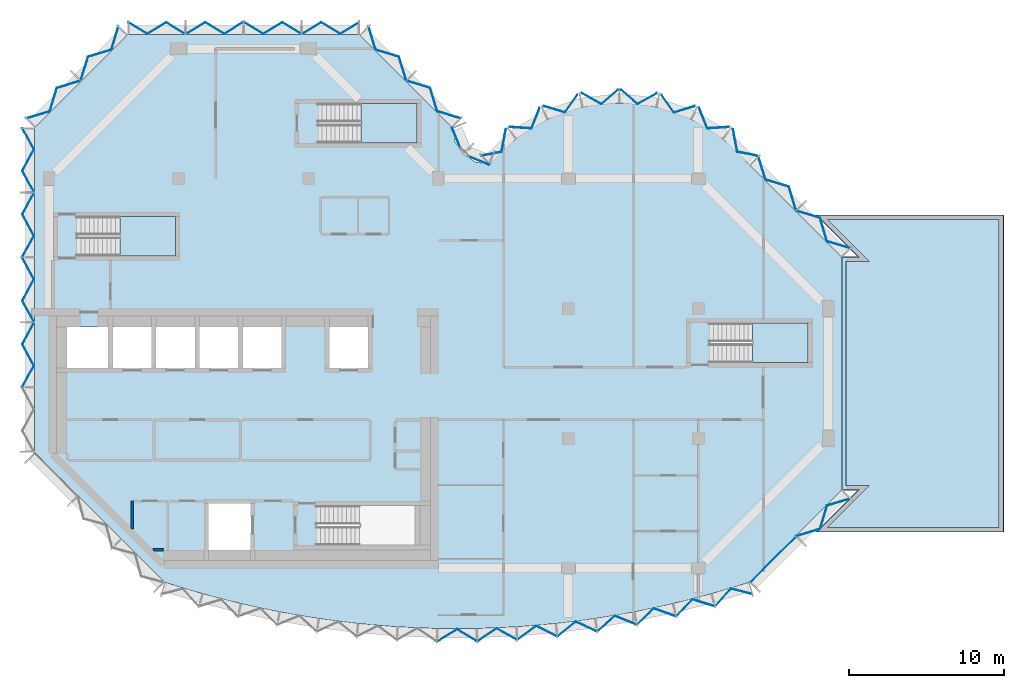
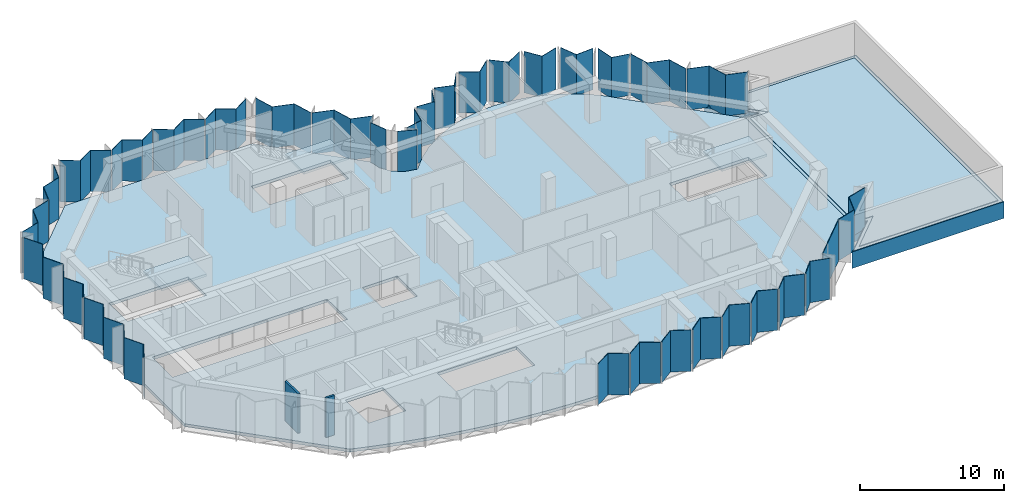
# One storey, part 3 of 9: 36 plates, 5 slabs, 2 walls, 12 elements without a shape of their own.
"""IFC4 building model written with IfcOpenShell, lengths in metres."""

from ifc_helpers import new_model, si_unit, direction, frame, frame_2d, origin, place, context, subcontext, project, spatial, polyline, rectangle, outline, extrude, material, layer, layer_set, type_object, element, aggregate, save


model = new_model("IFC4")

# Units and contexts
model_context = context("Model", 3, precision=1e-05, world=origin(), true_north=direction((0.0, 1.0)))
body_context = subcontext(model_context, "Body", "Model", "MODEL_VIEW")
ifc_project = project(units=[si_unit("LENGTHUNIT", "METRE"), si_unit("AREAUNIT", "SQUARE_METRE"), si_unit("VOLUMEUNIT", "CUBIC_METRE"), si_unit("PLANEANGLEUNIT", "RADIAN"), si_unit("MASSUNIT", "GRAM", prefix="KILO")], contexts=[model_context])

# Site, building, storey
site_placement = place(None, origin())
site = spatial("IfcSite", under=ifc_project, at=site_placement, CompositionType="ELEMENT")
building_placement = place(site_placement, origin())
building = spatial("IfcBuilding", under=site, at=building_placement, Name="Brevane Broadcast Tower", CompositionType="ELEMENT")
storey_placement = place(building_placement, frame((0.0, 0.0, 222.89990234375)))
storey = spatial("IfcBuildingStorey", under=building, at=storey_placement, Name="L56", CompositionType="ELEMENT", Elevation=222.89990234375)

# Curtain wall, plates
ifc_material_1 = material(Name="Aluminium 6063-T6 bronze anodised", Category="aluminium")
curtain_wall_type = type_object("IfcCurtainWallType", Name="CW-1 curtain wall", PredefinedType="NOTDEFINED", material=ifc_material_1)
curtain_wall_1_placement = place(storey_placement, origin())
curtain_wall_1 = element("IfcCurtainWall", 1, at=curtain_wall_1_placement, inside=storey, type_object=curtain_wall_type, Name="CW-1 typical tilted unit L56 south bow", PredefinedType="NOTDEFINED")
ifc_material_2 = material(Name="Laminated glass bronze-tinted", Category="glass")
ifc_layer_1 = layer(ifc_material_2, 0.0400390625)
ifc_layer_set_1 = layer_set([ifc_layer_1], Name="CW tall glass panel 40")
plate_type_1 = type_object("IfcPlateType", Name="CW tall glass panel 40", PredefinedType="CURTAIN_PANEL", material=ifc_layer_set_1)
plate_1_placement = place(storey_placement, frame((0.0, 0.0, -0.14990234375)))
plate_1 = element("IfcPlate", 2, at=plate_1_placement, type_object=plate_type_1, Name="CW-1 glass panel", PredefinedType="CURTAIN_PANEL", context=body_context, shape_type="SweptSolid", body=[
    extrude(outline(polyline([(25.176025390625, -4.67236328125), (25.175048828125, -4.719970703125), (26.4052734375, -3.958984375), (27.634033203125, -4.70849609375), (27.633056640625, -4.6611328125), (26.4052734375, -3.912109375), (25.176025390625, -4.67236328125)])), origin(), (0.0, 0.0, 1.0), 3.5),
])
plate_2_placement = place(storey_placement, frame((0.0, 0.0, -0.14990234375)))
plate_2 = element("IfcPlate", 3, at=plate_2_placement, type_object=plate_type_1, Name="CW-1 glass panel", PredefinedType="CURTAIN_PANEL", context=body_context, shape_type="SweptSolid", body=[
    extrude(outline(polyline([(27.76171875, -4.65966796875), (27.7626953125, -4.70703125), (28.958740234375, -3.90478515625), (30.219482421875, -4.611083984375), (30.216552734375, -4.563720703125), (28.956787109375, -3.85791015625), (27.76171875, -4.65966796875)])), origin(), (0.0, 0.0, 1.0), 3.5),
])
plate_3_placement = place(storey_placement, frame((0.0, 0.0, -0.14990234375)))
plate_3 = element("IfcPlate", 4, at=plate_3_placement, type_object=plate_type_1, Name="CW-1 glass panel", PredefinedType="CURTAIN_PANEL", context=body_context, shape_type="SweptSolid", body=[
    extrude(outline(polyline([(30.36328125, -4.547119140625), (30.366455078125, -4.594482421875), (31.522705078125, -3.741943359375), (32.806884765625, -4.39404296875), (32.802001953125, -4.3466796875), (31.518798828125, -3.695068359375), (30.36328125, -4.547119140625)])), origin(), (0.0, 0.0, 1.0), 3.5),
])
plate_4_placement = place(storey_placement, frame((0.0, 0.0, -0.14990234375)))
plate_4 = element("IfcPlate", 5, at=plate_4_placement, type_object=plate_type_1, Name="CW-1 glass panel", PredefinedType="CURTAIN_PANEL", context=body_context, shape_type="SweptSolid", body=[
    extrude(outline(polyline([(32.9482421875, -4.3271484375), (32.953369140625, -4.37451171875), (34.072998046875, -3.47265625), (35.383056640625, -4.06884765625), (35.3759765625, -4.021728515625), (34.067138671875, -3.426025390625), (32.9482421875, -4.3271484375)])), origin(), (0.0, 0.0, 1.0), 3.5),
])
plate_5_placement = place(storey_placement, frame((0.0, 0.0, -0.14990234375)))
plate_5 = element("IfcPlate", 6, at=plate_5_placement, type_object=plate_type_1, Name="CW-1 glass panel", PredefinedType="CURTAIN_PANEL", context=body_context, shape_type="SweptSolid", body=[
    extrude(outline(polyline([(35.521728515625, -3.99951171875), (35.52880859375, -4.04638671875), (36.60986328125, -3.09716796875), (37.943115234375, -3.63671875), (37.93408203125, -3.58984375), (36.60205078125, -3.05078125), (35.521728515625, -3.99951171875)])), origin(), (0.0, 0.0, 1.0), 3.5),
])
plate_6_placement = place(storey_placement, frame((0.0, 0.0, -0.14990234375)))
plate_6 = element("IfcPlate", 7, at=plate_6_placement, type_object=plate_type_1, Name="CW-1 glass panel", PredefinedType="CURTAIN_PANEL", context=body_context, shape_type="SweptSolid", body=[
    extrude(outline(polyline([(38.07958984375, -3.564453125), (38.08837890625, -3.611328125), (39.128662109375, -2.615966796875), (40.48291015625, -3.09765625), (40.471923828125, -3.051513671875), (39.118896484375, -2.570068359375), (38.07958984375, -3.564453125)])), origin(), (0.0, 0.0, 1.0), 3.5),
])
plate_7_placement = place(storey_placement, frame((0.0, 0.0, -0.14990234375)))
plate_7 = element("IfcPlate", 8, at=plate_7_placement, type_object=plate_type_1, Name="CW-1 glass panel", PredefinedType="CURTAIN_PANEL", context=body_context, shape_type="SweptSolid", body=[
    extrude(outline(polyline([(40.61669921875, -3.023193359375), (40.627685546875, -3.069580078125), (41.62548828125, -2.030029296875), (42.997802734375, -2.453369140625), (42.985107421875, -2.407470703125), (41.613525390625, -1.984619140625), (40.61669921875, -3.023193359375)])), origin(), (0.0, 0.0, 1.0), 3.5),
])
plate_8_placement = place(storey_placement, frame((0.0, 0.0, -0.14990234375)))
plate_8 = element("IfcPlate", 9, at=plate_8_placement, type_object=plate_type_1, Name="CW-1 glass panel", PredefinedType="CURTAIN_PANEL", context=body_context, shape_type="SweptSolid", body=[
    extrude(outline(polyline([(43.12939453125, -2.376220703125), (43.14208984375, -2.421875), (44.114013671875, -1.334716796875), (45.501220703125, -1.68798828125), (45.48779296875, -1.643310546875), (44.100341796875, -1.289794921875), (43.12939453125, -2.376220703125)])), origin(), (0.0, 0.0, 1.0), 3.5),
])
aggregate(curtain_wall_1, [plate_1, plate_2, plate_3, plate_4, plate_5, plate_6, plate_7, plate_8])

curtain_wall_2_placement = place(storey_placement, origin())
curtain_wall_2 = element("IfcCurtainWall", 10, at=curtain_wall_2_placement, inside=storey, type_object=curtain_wall_type, Name="CW-1 typical tilted unit L56 south-east chamfer", PredefinedType="NOTDEFINED")
plate_9_placement = place(storey_placement, frame((0.0, 0.0, -0.14990234375)))
plate_9 = element("IfcPlate", 11, at=plate_9_placement, type_object=plate_type_1, Name="CW-1 glass panel", PredefinedType="CURTAIN_PANEL", context=body_context, shape_type="SweptSolid", body=[
    extrude(outline(polyline([(45.345947265625, -0.896484375), (48.29638671875, 2.053955078125), (48.32470703125, 2.02587890625), (45.374267578125, -0.9248046875), (45.345947265625, -0.896484375)])), origin(), (0.0, 0.0, 1.0), 3.5),
])
plate_10_placement = place(storey_placement, frame((0.0, 0.0, -0.14990234375)))
plate_10 = element("IfcPlate", 12, at=plate_10_placement, type_object=plate_type_1, Name="CW-1 glass panel", PredefinedType="CURTAIN_PANEL", context=body_context, shape_type="SweptSolid", body=[
    extrude(outline(polyline([(48.343994140625, 2.10546875), (48.376220703125, 2.073486328125), (49.885986328125, 2.530517578125), (50.343017578125, 4.040283203125), (51.85302734375, 4.49755859375), (51.82080078125, 4.529541015625), (50.31103515625, 4.072509765625), (49.85400390625, 2.5625), (48.343994140625, 2.10546875)])), origin(), (0.0, 0.0, 1.0), 3.5),
])
aggregate(curtain_wall_2, [plate_9, plate_10])

curtain_wall_3_placement = place(storey_placement, origin())
curtain_wall_3 = element("IfcCurtainWall", 13, at=curtain_wall_3_placement, inside=storey, type_object=curtain_wall_type, Name="CW-1 typical tilted unit L56 north-east chamfer", PredefinedType="NOTDEFINED")
plate_11_placement = place(storey_placement, frame((0.0, 0.0, -0.14990234375)))
plate_11 = element("IfcPlate", 14, at=plate_11_placement, type_object=plate_type_1, Name="CW-1 glass panel", PredefinedType="CURTAIN_PANEL", context=body_context, shape_type="SweptSolid", body=[
    extrude(outline(polyline([(51.82080078125, 20.67041015625), (51.85302734375, 20.702392578125), (50.343017578125, 21.15966796875), (49.885986328125, 22.66943359375), (48.376220703125, 23.126708984375), (48.343994140625, 23.094482421875), (49.85400390625, 22.637451171875), (50.31103515625, 21.127685546875), (51.82080078125, 20.67041015625)])), origin(), (0.0, 0.0, 1.0), 3.5),
])
plate_12_placement = place(storey_placement, frame((0.0, 0.0, -0.14990234375)))
plate_12 = element("IfcPlate", 15, at=plate_12_placement, type_object=plate_type_1, Name="CW-1 glass panel", PredefinedType="CURTAIN_PANEL", context=body_context, shape_type="SweptSolid", body=[
    extrude(outline(polyline([(48.294677734375, 23.14404296875), (48.32666015625, 23.176025390625), (47.869384765625, 24.68603515625), (46.359619140625, 25.14306640625), (45.902587890625, 26.653076171875), (45.870361328125, 26.620849609375), (46.32763671875, 25.111083984375), (47.83740234375, 24.65380859375), (48.294677734375, 23.14404296875)])), origin(), (0.0, 0.0, 1.0), 3.5),
])
aggregate(curtain_wall_3, [plate_11, plate_12])

curtain_wall_4_placement = place(storey_placement, origin())
curtain_wall_4 = element("IfcCurtainWall", 16, at=curtain_wall_4_placement, inside=storey, type_object=curtain_wall_type, Name="CW-1 typical tilted unit L56 east bow", PredefinedType="NOTDEFINED")
plate_13_placement = place(storey_placement, frame((0.0, 0.0, -0.14990234375)))
plate_13 = element("IfcPlate", 17, at=plate_13_placement, type_object=plate_type_1, Name="CW-1 glass panel", PredefinedType="CURTAIN_PANEL", context=body_context, shape_type="SweptSolid", body=[
    extrude(outline(polyline([(45.79150390625, 26.656005859375), (45.82470703125, 26.690185546875), (44.539306640625, 26.9423828125), (44.263916015625, 28.3857421875), (44.231201171875, 28.34375), (44.5048828125, 26.908203125), (45.79150390625, 26.656005859375)])), origin(), (0.0, 0.0, 1.0), 3.5),
])
plate_14_placement = place(storey_placement, frame((0.0, 0.0, -0.14990234375)))
plate_14 = element("IfcPlate", 18, at=plate_14_placement, type_object=plate_type_1, Name="CW-1 glass panel", PredefinedType="CURTAIN_PANEL", context=body_context, shape_type="SweptSolid", body=[
    extrude(outline(polyline([(43.950439453125, 28.5087890625), (43.9833984375, 28.551025390625), (42.601318359375, 28.462890625), (42.0703125, 29.76171875), (42.046875, 29.712890625), (42.5751953125, 28.42138671875), (43.950439453125, 28.5087890625)])), origin(), (0.0, 0.0, 1.0), 3.5),
])
plate_15_placement = place(storey_placement, frame((0.0, 0.0, -0.14990234375)))
plate_15 = element("IfcPlate", 19, at=plate_15_placement, type_object=plate_type_1, Name="CW-1 glass panel", PredefinedType="CURTAIN_PANEL", context=body_context, shape_type="SweptSolid", body=[
    extrude(outline(polyline([(41.75537109375, 29.851806640625), (41.778564453125, 29.900634765625), (40.435546875, 29.494384765625), (39.6328125, 30.622802734375), (39.62060546875, 30.57080078125), (40.41943359375, 29.44775390625), (41.75537109375, 29.851806640625)])), origin(), (0.0, 0.0, 1.0), 3.5),
])
plate_16_placement = place(storey_placement, frame((0.0, 0.0, -0.14990234375)))
plate_16 = element("IfcPlate", 20, at=plate_16_placement, type_object=plate_type_1, Name="CW-1 glass panel", PredefinedType="CURTAIN_PANEL", context=body_context, shape_type="SweptSolid", body=[
    extrude(outline(polyline([(39.31640625, 30.68798828125), (39.328369140625, 30.740478515625), (38.069580078125, 30.036376953125), (37.008056640625, 30.94921875), (37.008056640625, 30.896484375), (38.064697265625, 29.98779296875), (39.31640625, 30.68798828125)])), origin(), (0.0, 0.0, 1.0), 3.5),
])
plate_17_placement = place(storey_placement, frame((0.0, 0.0, -0.14990234375)))
plate_17 = element("IfcPlate", 21, at=plate_17_placement, type_object=plate_type_1, Name="CW-1 glass panel", PredefinedType="CURTAIN_PANEL", context=body_context, shape_type="SweptSolid", body=[
    extrude(outline(polyline([(36.7919921875, 30.896484375), (36.7919921875, 30.94921875), (35.730224609375, 30.036376953125), (34.4716796875, 30.740478515625), (34.483642578125, 30.68798828125), (35.735107421875, 29.98779296875), (36.7919921875, 30.896484375)])), origin(), (0.0, 0.0, 1.0), 3.5),
])
plate_18_placement = place(storey_placement, frame((0.0, 0.0, -0.14990234375)))
plate_18 = element("IfcPlate", 22, at=plate_18_placement, type_object=plate_type_1, Name="CW-1 glass panel", PredefinedType="CURTAIN_PANEL", context=body_context, shape_type="SweptSolid", body=[
    extrude(outline(polyline([(34.17919921875, 30.57080078125), (34.167236328125, 30.622802734375), (33.364501953125, 29.494384765625), (32.021484375, 29.900634765625), (32.044677734375, 29.851806640625), (33.380615234375, 29.44775390625), (34.17919921875, 30.57080078125)])), origin(), (0.0, 0.0, 1.0), 3.5),
])
plate_19_placement = place(storey_placement, frame((0.0, 0.0, -0.14990234375)))
plate_19 = element("IfcPlate", 23, at=plate_19_placement, type_object=plate_type_1, Name="CW-1 glass panel", PredefinedType="CURTAIN_PANEL", context=body_context, shape_type="SweptSolid", body=[
    extrude(outline(polyline([(31.753173828125, 29.712890625), (31.729736328125, 29.76171875), (31.198486328125, 28.462890625), (29.816650390625, 28.551025390625), (29.849609375, 28.5087890625), (31.224609375, 28.42138671875), (31.753173828125, 29.712890625)])), origin(), (0.0, 0.0, 1.0), 3.5),
])
plate_20_placement = place(storey_placement, frame((0.0, 0.0, -0.14990234375)))
plate_20 = element("IfcPlate", 24, at=plate_20_placement, type_object=plate_type_1, Name="CW-1 glass panel", PredefinedType="CURTAIN_PANEL", context=body_context, shape_type="SweptSolid", body=[
    extrude(outline(polyline([(29.568603515625, 28.34375), (29.535888671875, 28.3857421875), (29.2607421875, 26.9423828125), (27.975341796875, 26.690185546875), (28.008544921875, 26.656005859375), (29.294921875, 26.908203125), (29.568603515625, 28.34375)])), origin(), (0.0, 0.0, 1.0), 3.5),
])
aggregate(curtain_wall_4, [plate_13, plate_14, plate_15, plate_16, plate_17, plate_18, plate_19, plate_20])

curtain_wall_5_placement = place(storey_placement, origin())
curtain_wall_5 = element("IfcCurtainWall", 25, at=curtain_wall_5_placement, inside=storey, type_object=curtain_wall_type, Name="CW-1 typical tilted unit L56 inner corner", PredefinedType="NOTDEFINED")
plate_21_placement = place(storey_placement, frame((0.0, 0.0, -0.14990234375)))
plate_21 = element("IfcPlate", 26, at=plate_21_placement, type_object=plate_type_1, Name="CW-1 glass panel", PredefinedType="CURTAIN_PANEL", context=body_context, shape_type="SweptSolid", body=[
    extrude(outline(polyline([(28.45166015625, 26.07470703125), (28.466796875, 26.111572265625), (27.2021484375, 26.635498046875), (27.17138671875, 26.60498046875), (28.45166015625, 26.07470703125)])), origin(), (0.0, 0.0, 1.0), 3.5),
])
plate_22_placement = place(storey_placement, frame((0.0, 0.0, -0.14990234375)))
plate_22 = element("IfcPlate", 27, at=plate_22_placement, type_object=plate_type_1, Name="CW-1 glass panel", PredefinedType="CURTAIN_PANEL", context=body_context, shape_type="SweptSolid", body=[
    extrude(outline(polyline([(26.60498046875, 27.17138671875), (26.635498046875, 27.2021484375), (26.111572265625, 28.466796875), (26.07470703125, 28.45166015625), (26.60498046875, 27.17138671875)])), origin(), (0.0, 0.0, 1.0), 3.5),
])
aggregate(curtain_wall_5, [plate_21, plate_22])

curtain_wall_6_placement = place(storey_placement, origin())
curtain_wall_6 = element("IfcCurtainWall", 28, at=curtain_wall_6_placement, inside=storey, type_object=curtain_wall_type, Name="CW-1 typical tilted unit L56 north arm north-east chamfer", PredefinedType="NOTDEFINED")
plate_23_placement = place(storey_placement, frame((0.0, 0.0, -0.14990234375)))
plate_23 = element("IfcPlate", 29, at=plate_23_placement, type_object=plate_type_1, Name="CW-1 glass panel", PredefinedType="CURTAIN_PANEL", context=body_context, shape_type="SweptSolid", body=[
    extrude(outline(polyline([(26.620849609375, 29.0703125), (26.653076171875, 29.1025390625), (25.14306640625, 29.5595703125), (24.68603515625, 31.069580078125), (23.176025390625, 31.526611328125), (23.14404296875, 31.49462890625), (24.65380859375, 31.037353515625), (25.111083984375, 29.527587890625), (26.620849609375, 29.0703125)])), origin(), (0.0, 0.0, 1.0), 3.5),
])
plate_24_placement = place(storey_placement, frame((0.0, 0.0, -0.14990234375)))
plate_24 = element("IfcPlate", 30, at=plate_24_placement, type_object=plate_type_1, Name="CW-1 glass panel", PredefinedType="CURTAIN_PANEL", context=body_context, shape_type="SweptSolid", body=[
    extrude(outline(polyline([(23.094482421875, 31.544189453125), (23.126708984375, 31.576171875), (22.66943359375, 33.0859375), (21.15966796875, 33.543212890625), (20.702392578125, 35.052978515625), (20.67041015625, 35.02099609375), (21.127685546875, 33.510986328125), (22.637451171875, 33.053955078125), (23.094482421875, 31.544189453125)])), origin(), (0.0, 0.0, 1.0), 3.5),
])
aggregate(curtain_wall_6, [plate_23, plate_24])

curtain_wall_7_placement = place(storey_placement, origin())
curtain_wall_7 = element("IfcCurtainWall", 31, at=curtain_wall_7_placement, inside=storey, type_object=curtain_wall_type, Name="CW-1 typical tilted unit L56 north end", PredefinedType="NOTDEFINED")
plate_25_placement = place(storey_placement, frame((0.0, 0.0, -0.14990234375)))
plate_25 = element("IfcPlate", 32, at=plate_25_placement, type_object=plate_type_1, Name="CW-1 glass panel", PredefinedType="CURTAIN_PANEL", context=body_context, shape_type="SweptSolid", body=[
    extrude(outline(polyline([(20.06494140625, 35.27099609375), (20.06494140625, 35.31787109375), (18.83837890625, 34.573486328125), (17.61181640625, 35.31787109375), (16.385009765625, 34.573486328125), (16.385009765625, 34.526611328125), (17.61181640625, 35.27099609375), (18.83837890625, 34.526611328125), (20.06494140625, 35.27099609375)])), origin(), (0.0, 0.0, 1.0), 3.5),
])
plate_26_placement = place(storey_placement, frame((0.0, 0.0, -0.14990234375)))
plate_26 = element("IfcPlate", 33, at=plate_26_placement, type_object=plate_type_1, Name="CW-1 glass panel", PredefinedType="CURTAIN_PANEL", context=body_context, shape_type="SweptSolid", body=[
    extrude(outline(polyline([(16.31494140625, 34.526611328125), (16.31494140625, 34.573486328125), (15.08837890625, 35.31787109375), (13.86181640625, 34.573486328125), (12.635009765625, 35.31787109375), (12.635009765625, 35.27099609375), (13.86181640625, 34.526611328125), (15.08837890625, 35.27099609375), (16.31494140625, 34.526611328125)])), origin(), (0.0, 0.0, 1.0), 3.5),
])
plate_27_placement = place(storey_placement, frame((0.0, 0.0, -0.14990234375)))
plate_27 = element("IfcPlate", 34, at=plate_27_placement, type_object=plate_type_1, Name="CW-1 glass panel", PredefinedType="CURTAIN_PANEL", context=body_context, shape_type="SweptSolid", body=[
    extrude(outline(polyline([(12.56494140625, 35.27099609375), (12.56494140625, 35.31787109375), (11.33837890625, 34.573486328125), (10.11181640625, 35.31787109375), (8.885009765625, 34.573486328125), (8.885009765625, 34.526611328125), (10.11181640625, 35.27099609375), (11.33837890625, 34.526611328125), (12.56494140625, 35.27099609375)])), origin(), (0.0, 0.0, 1.0), 3.5),
])
plate_28_placement = place(storey_placement, frame((0.0, 0.0, -0.14990234375)))
plate_28 = element("IfcPlate", 35, at=plate_28_placement, type_object=plate_type_1, Name="CW-1 glass panel", PredefinedType="CURTAIN_PANEL", context=body_context, shape_type="SweptSolid", body=[
    extrude(outline(polyline([(8.81494140625, 34.526611328125), (8.81494140625, 34.573486328125), (7.58837890625, 35.31787109375), (6.36181640625, 34.573486328125), (5.135009765625, 35.31787109375), (5.135009765625, 35.27099609375), (6.36181640625, 34.526611328125), (7.58837890625, 35.27099609375), (8.81494140625, 34.526611328125)])), origin(), (0.0, 0.0, 1.0), 3.5),
])
aggregate(curtain_wall_7, [plate_25, plate_26, plate_27, plate_28])

curtain_wall_8_placement = place(storey_placement, origin())
curtain_wall_8 = element("IfcCurtainWall", 36, at=curtain_wall_8_placement, inside=storey, type_object=curtain_wall_type, Name="CW-1 typical tilted unit L56 north-west chamfer", PredefinedType="NOTDEFINED")
plate_29_placement = place(storey_placement, frame((0.0, 0.0, -0.14990234375)))
plate_29 = element("IfcPlate", 37, at=plate_29_placement, type_object=plate_type_1, Name="CW-1 glass panel", PredefinedType="CURTAIN_PANEL", context=body_context, shape_type="SweptSolid", body=[
    extrude(outline(polyline([(4.529541015625, 35.02099609375), (4.49755859375, 35.052978515625), (4.040283203125, 33.543212890625), (2.530517578125, 33.0859375), (2.073486328125, 31.576171875), (2.10546875, 31.544189453125), (2.5625, 33.053955078125), (4.072509765625, 33.510986328125), (4.529541015625, 35.02099609375)])), origin(), (0.0, 0.0, 1.0), 3.5),
])
plate_30_placement = place(storey_placement, frame((0.0, 0.0, -0.14990234375)))
plate_30 = element("IfcPlate", 38, at=plate_30_placement, type_object=plate_type_1, Name="CW-1 glass panel", PredefinedType="CURTAIN_PANEL", context=body_context, shape_type="SweptSolid", body=[
    extrude(outline(polyline([(2.055908203125, 31.49462890625), (2.02392578125, 31.526611328125), (0.513916015625, 31.069580078125), (0.056884765625, 29.5595703125), (-1.452880859375, 29.1025390625), (-1.4208984375, 29.0703125), (0.0888671875, 29.527587890625), (0.546142578125, 31.037353515625), (2.055908203125, 31.49462890625)])), origin(), (0.0, 0.0, 1.0), 3.5),
])
aggregate(curtain_wall_8, [plate_29, plate_30])

curtain_wall_9_placement = place(storey_placement, origin())
curtain_wall_9 = element("IfcCurtainWall", 39, at=curtain_wall_9_placement, inside=storey, type_object=curtain_wall_type, Name="CW-1 typical tilted unit L56 west face", PredefinedType="NOTDEFINED")
plate_31_placement = place(storey_placement, frame((0.0, 0.0, -0.14990234375)))
plate_31 = element("IfcPlate", 40, at=plate_31_placement, type_object=plate_type_1, Name="CW-1 glass panel", PredefinedType="CURTAIN_PANEL", context=body_context, shape_type="SweptSolid", body=[
    extrude(outline(polyline([(-1.671630859375, 28.465087890625), (-1.717041015625, 28.465087890625), (-0.97265625, 27.08837890625), (-1.717041015625, 25.711669921875), (-0.97265625, 24.3349609375), (-0.92724609375, 24.3349609375), (-1.671630859375, 25.711669921875), (-0.92724609375, 27.08837890625), (-1.671630859375, 28.465087890625)])), origin(), (0.0, 0.0, 1.0), 3.5),
])
plate_32_placement = place(storey_placement, frame((0.0, 0.0, -0.14990234375)))
plate_32 = element("IfcPlate", 41, at=plate_32_placement, type_object=plate_type_1, Name="CW-1 glass panel", PredefinedType="CURTAIN_PANEL", context=body_context, shape_type="SweptSolid", body=[
    extrude(outline(polyline([(-0.92724609375, 24.264892578125), (-0.97265625, 24.264892578125), (-1.717041015625, 22.88818359375), (-0.97265625, 21.51171875), (-1.717041015625, 20.135009765625), (-1.671630859375, 20.135009765625), (-0.92724609375, 21.51171875), (-1.671630859375, 22.88818359375), (-0.92724609375, 24.264892578125)])), origin(), (0.0, 0.0, 1.0), 3.5),
])
plate_33_placement = place(storey_placement, frame((0.0, 0.0, -0.14990234375)))
plate_33 = element("IfcPlate", 42, at=plate_33_placement, type_object=plate_type_1, Name="CW-1 glass panel", PredefinedType="CURTAIN_PANEL", context=body_context, shape_type="SweptSolid", body=[
    extrude(outline(polyline([(-1.671630859375, 20.06494140625), (-1.717041015625, 20.06494140625), (-0.97265625, 18.688232421875), (-1.717041015625, 17.311767578125), (-0.97265625, 15.93505859375), (-0.92724609375, 15.93505859375), (-1.671630859375, 17.311767578125), (-0.92724609375, 18.688232421875), (-1.671630859375, 20.06494140625)])), origin(), (0.0, 0.0, 1.0), 3.5),
])
plate_34_placement = place(storey_placement, frame((0.0, 0.0, -0.14990234375)))
plate_34 = element("IfcPlate", 43, at=plate_34_placement, type_object=plate_type_1, Name="CW-1 glass panel", PredefinedType="CURTAIN_PANEL", context=body_context, shape_type="SweptSolid", body=[
    extrude(outline(polyline([(-0.92724609375, 15.864990234375), (-0.97265625, 15.864990234375), (-1.717041015625, 14.48828125), (-0.97265625, 13.11181640625), (-1.717041015625, 11.735107421875), (-1.671630859375, 11.735107421875), (-0.92724609375, 13.11181640625), (-1.671630859375, 14.48828125), (-0.92724609375, 15.864990234375)])), origin(), (0.0, 0.0, 1.0), 3.5),
])
aggregate(curtain_wall_9, [plate_31, plate_32, plate_33, plate_34])

# Stair, slab
ifc_material_3 = material(Name="Concrete C50/60", Category="concrete")
stair_type = type_object("IfcStairType", Name="Exit stair 22 risers", PredefinedType="HALF_TURN_STAIR", material=ifc_material_3)
stair_1_placement = place(storey_placement, origin())
stair_1 = element("IfcStair", 44, at=stair_1_placement, inside=storey, type_object=stair_type, Name="L56 Exit stair ST-1", PredefinedType="HALF_TURN_STAIR")
ifc_layer_2 = layer(ifc_material_3, 0.199951171875)
ifc_layer_set_2 = layer_set([ifc_layer_2], Name="Exit stair landing")
slab_type_1 = type_object("IfcSlabType", Name="Exit stair landing", PredefinedType="LANDING", material=ifc_layer_set_2)
slab_1_placement = place(storey_placement, frame((0.0, 0.0, 1.60009765625)))
slab_1 = element("IfcSlab", 45, at=slab_1_placement, type_object=slab_type_1, Name="ST-1 landing 1", PredefinedType="LANDING", context=body_context, shape_type="SweptSolid", body=[
    extrude(outline(polyline([(4.60009765625, 20.199951171875), (8.199951171875, 20.199951171875), (8.199951171875, 22.75), (4.60009765625, 22.75), (4.60009765625, 20.199951171875)])), origin(), (0.0, 0.0, 1.0), 0.199951171875),
])
aggregate(stair_1, [slab_1])

stair_2_placement = place(storey_placement, origin())
stair_2 = element("IfcStair", 46, at=stair_2_placement, inside=storey, type_object=stair_type, Name="L56 Exit stair ST-3", PredefinedType="HALF_TURN_STAIR")
slab_2_placement = place(storey_placement, frame((0.0, 0.0, 1.60009765625)))
slab_2 = element("IfcSlab", 47, at=slab_2_placement, type_object=slab_type_1, Name="ST-3 landing 1", PredefinedType="LANDING", context=body_context, shape_type="SweptSolid", body=[
    extrude(outline(polyline([(20.199951171875, 27.5), (23.800048828125, 27.5), (23.800048828125, 30.050048828125), (20.199951171875, 30.050048828125), (20.199951171875, 27.5)])), origin(), (0.0, 0.0, 1.0), 0.199951171875),
])
aggregate(stair_2, [slab_2])

stair_3_placement = place(storey_placement, origin())
stair_3 = element("IfcStair", 48, at=stair_3_placement, inside=storey, type_object=stair_type, Name="L56 Exit stair ST-4", PredefinedType="HALF_TURN_STAIR")
slab_3_placement = place(storey_placement, frame((0.0, 0.0, 1.60009765625)))
slab_3 = element("IfcSlab", 49, at=slab_3_placement, type_object=slab_type_1, Name="ST-4 landing 1", PredefinedType="LANDING", context=body_context, shape_type="SweptSolid", body=[
    extrude(outline(polyline([(45.5, 13.300048828125), (49.10009765625, 13.300048828125), (49.10009765625, 15.85009765625), (45.5, 15.85009765625), (45.5, 13.300048828125)])), origin(), (0.0, 0.0, 1.0), 0.199951171875),
])
aggregate(stair_3, [slab_3])

# Plate
ifc_material_4 = material(Name="Laminated glass clear", Category="glass")
ifc_layer_3 = layer(ifc_material_4, 0.0400390625)
ifc_layer_set_3 = layer_set([ifc_layer_3], Name="Pool basin lining glass 40")
plate_type_2 = type_object("IfcPlateType", Name="Pool basin lining glass 40", PredefinedType="SHEET", material=ifc_layer_set_3)
plate_35_placement = place(storey_placement, origin())
element("IfcPlate", 50, at=plate_35_placement, inside=storey, type_object=plate_type_2, Name="Pool basin lining glass", PredefinedType="SHEET", context=body_context, shape_type="SweptSolid", body=[
    extrude(outline(polyline([(61.449951171875, 2.64990234375), (61.449951171875, 22.550048828125), (50.3349609375, 22.550048828125), (53.034912109375, 19.85009765625), (51.550048828125, 19.85009765625), (51.550048828125, 5.35009765625), (53.034912109375, 5.35009765625), (50.3349609375, 2.64990234375), (61.449951171875, 2.64990234375)])), origin(), (0.0, 0.0, 1.0), 0.0400390625),
])

# Slab
ifc_material_5 = material(Name="Concrete C40/50", Category="concrete")
ifc_layer_4 = layer(ifc_material_5, 0.39990234375)
ifc_layer_set_4 = layer_set([ifc_layer_4], Name="Pool tank base slab 400 C40/50")
slab_type_2 = type_object("IfcSlabType", Name="Pool tank base slab 400 C40/50", PredefinedType="FLOOR", material=ifc_layer_set_4)
slab_4_placement = place(storey_placement, frame((0.0, 0.0, -0.39990234375)))
element("IfcSlab", 51, at=slab_4_placement, inside=storey, type_object=slab_type_2, Name="PS400 L56", PredefinedType="FLOOR", context=body_context, shape_type="SweptSolid", body=[
    extrude(outline(polyline([(52.431396484375, 5.10009765625), (51.300048828125, 5.10009765625), (51.300048828125, 20.10009765625), (52.431396484375, 20.10009765625), (49.7314453125, 22.800048828125), (61.699951171875, 22.800048828125), (61.699951171875, 2.39990234375), (49.7314453125, 2.39990234375), (52.431396484375, 5.10009765625)])), origin(), (0.0, 0.0, 1.0), 0.39990234375),
])

# Plate
ifc_material_6 = material(Name="Aluminium bronze anodised", Category="aluminium")
ifc_layer_5 = layer(ifc_material_6, 0.06005859375)
ifc_layer_set_5 = layer_set([ifc_layer_5], Name="Pool tank fascia 1000")
plate_type_3 = type_object("IfcPlateType", Name="Pool tank fascia 1000", PredefinedType="SHEET", material=ifc_layer_set_5)
plate_36_placement = place(storey_placement, frame((0.0, 0.0, -1.39990234375)))
element("IfcPlate", 52, at=plate_36_placement, inside=storey, type_object=plate_type_3, Name="Pool tank fascia", PredefinedType="SHEET", context=body_context, shape_type="SweptSolid", body=[
    extrude(outline(polyline([(52.28662109375, 5.0400390625), (49.58642578125, 2.340087890625), (61.760009765625, 2.340087890625), (61.760009765625, 22.860107421875), (49.58642578125, 22.860107421875), (52.28662109375, 20.159912109375), (51.239990234375, 20.159912109375), (51.239990234375, 20.080078125), (51.300048828125, 20.080078125), (51.300048828125, 20.10009765625), (52.431396484375, 20.10009765625), (49.7314453125, 22.800048828125), (61.699951171875, 22.800048828125), (61.699951171875, 2.39990234375), (49.7314453125, 2.39990234375), (52.431396484375, 5.10009765625), (51.300048828125, 5.10009765625), (51.300048828125, 5.1201171875), (51.239990234375, 5.1201171875), (51.239990234375, 5.0400390625), (52.28662109375, 5.0400390625)])), origin(), (0.0, 0.0, 1.0), 1.39990234375),
])

# Slab
ifc_layer_6 = layer(ifc_material_5, 0.25)
ifc_layer_set_6 = layer_set([ifc_layer_6], Name="RC FLOOR SLAB 250 C40/50")
slab_type_3 = type_object("IfcSlabType", Name="RC FLOOR SLAB 250 C40/50", PredefinedType="FLOOR", material=ifc_layer_set_6)
slab_5_placement = place(storey_placement, frame((0.0, 0.0, -0.25)))
element("IfcSlab", 53, at=slab_5_placement, inside=storey, type_object=slab_type_3, Name="SL250 L56", PredefinedType="FLOOR", context=body_context, shape_type="SweptSolid", body=[
    extrude(outline(polyline([(-0.89990234375, 7.5), (-0.89990234375, 28.5), (5.10009765625, 34.5), (20.10009765625, 34.5), (26.10009765625, 28.5), (26.28271484375, 27.58154296875), (26.802978515625, 26.802978515625), (27.58154296875, 26.28271484375), (28.5, 26.10009765625), (29.431396484375, 27.10888671875), (30.48291015625, 27.99169921875), (31.6376953125, 28.734130859375), (32.877197265625, 29.324462890625), (34.181640625, 29.7529296875), (35.52978515625, 30.012939453125), (36.89990234375, 30.10009765625), (38.270263671875, 30.012939453125), (39.618408203125, 29.7529296875), (40.922607421875, 29.324462890625), (42.162353515625, 28.734130859375), (43.317138671875, 27.99169921875), (44.36865234375, 27.10888671875), (45.300048828125, 26.10009765625), (51.300048828125, 20.10009765625), (51.300048828125, 5.10009765625), (45.300048828125, -0.89990234375), (43.990234375, -1.310302734375), (42.671630859375, -1.691162109375), (41.3447265625, -2.0419921875), (40.01025390625, -2.36328125), (38.6689453125, -2.654052734375), (37.3212890625, -2.9150390625), (35.96826171875, -3.145263671875), (34.6103515625, -3.34521484375), (33.248291015625, -3.5146484375), (31.8828125, -3.6533203125), (30.5146484375, -3.76123046875), (29.144287109375, -3.83837890625), (27.7724609375, -3.884521484375), (26.39990234375, -3.89990234375), (25.027587890625, -3.884521484375), (23.65576171875, -3.83837890625), (22.285400390625, -3.76123046875), (20.917236328125, -3.6533203125), (19.5517578125, -3.5146484375), (18.189697265625, -3.34521484375), (16.831787109375, -3.145263671875), (15.478759765625, -2.9150390625), (14.131103515625, -2.654052734375), (12.789794921875, -2.36328125), (11.455322265625, -2.0419921875), (10.12841796875, -1.691162109375), (8.809814453125, -1.310302734375), (7.5, -0.89990234375), (-0.89990234375, 7.5)]), holes=[polyline([(13.199951171875, 4.39990234375), (10.199951171875, 4.39990234375), (10.199951171875, 1.199951171875), (13.199951171875, 1.199951171875), (13.199951171875, 4.39990234375)]), polyline([(4.0, 15.60009765625), (1.199951171875, 15.60009765625), (1.199951171875, 12.800048828125), (4.0, 12.800048828125), (6.800048828125, 12.800048828125), (9.60009765625, 12.800048828125), (12.39990234375, 12.800048828125), (15.199951171875, 12.800048828125), (15.199951171875, 15.60009765625), (12.39990234375, 15.60009765625), (9.60009765625, 15.60009765625), (6.800048828125, 15.60009765625), (4.0, 15.60009765625)]), polyline([(1.860107421875, 22.75), (1.860107421875, 20.199951171875), (8.199951171875, 20.199951171875), (8.199951171875, 22.75), (1.860107421875, 22.75)]), polyline([(23.699951171875, 4.050048828125), (17.360107421875, 4.050048828125), (17.360107421875, 1.5), (23.699951171875, 1.5), (23.699951171875, 4.050048828125)]), polyline([(20.800048828125, 15.60009765625), (18.0, 15.60009765625), (18.0, 12.800048828125), (20.800048828125, 12.800048828125), (20.800048828125, 15.60009765625)]), polyline([(49.10009765625, 15.85009765625), (42.760009765625, 15.85009765625), (42.760009765625, 13.300048828125), (49.10009765625, 13.300048828125), (49.10009765625, 15.85009765625)]), polyline([(23.800048828125, 30.050048828125), (17.4599609375, 30.050048828125), (17.4599609375, 27.5), (23.800048828125, 27.5), (23.800048828125, 30.050048828125)])]), origin(), (0.0, 0.0, 1.0), 0.25),
])

# Walls
ifc_material_7 = material(Name="Gypsum board on steel studs", Category="steel")
ifc_layer_7 = layer(ifc_material_7, 0.14990234375)
ifc_layer_set_7 = layer_set([ifc_layer_7], Name="Core fire partition 150 mm")
wall_type = type_object("IfcWallType", Name="Core fire partition 150 mm", PredefinedType="PARTITIONING", material=ifc_layer_set_7)
wall_1_placement = place(storey_placement, frame((5.39990234375, 2.553466796875, 0.0), z_axis=(0.0, 0.0, 1.0), x_axis=(0.0, 1.0, 0.0)))
element("IfcWall", 54, at=wall_1_placement, inside=storey, type_object=wall_type, Name="L56 partition wall P11", PredefinedType="PARTITIONING", context=body_context, shape_type="SweptSolid", body=[
    extrude(rectangle(XDim=1.796630859375, YDim=0.14990234375, at=frame_2d((0.8984375, 0.0))), origin(), (0.0, 0.0, 1.0), 3.35009765625),
])
wall_2_placement = place(storey_placement, frame((7.42431640625, 1.199951171875, 0.0), z_axis=(0.0, 0.0, 1.0), x_axis=(-1.0, 0.0, 0.0)))
element("IfcWall", 55, at=wall_2_placement, inside=storey, type_object=wall_type, Name="L56 partition wall P14", PredefinedType="PARTITIONING", context=body_context, shape_type="SweptSolid", body=[
    extrude(rectangle(XDim=0.6708984375, YDim=0.14990234375, at=frame_2d((0.33544921875, 0.0))), origin(), (0.0, 0.0, 1.0), 3.35009765625),
])

save(model, "model.ifc")
